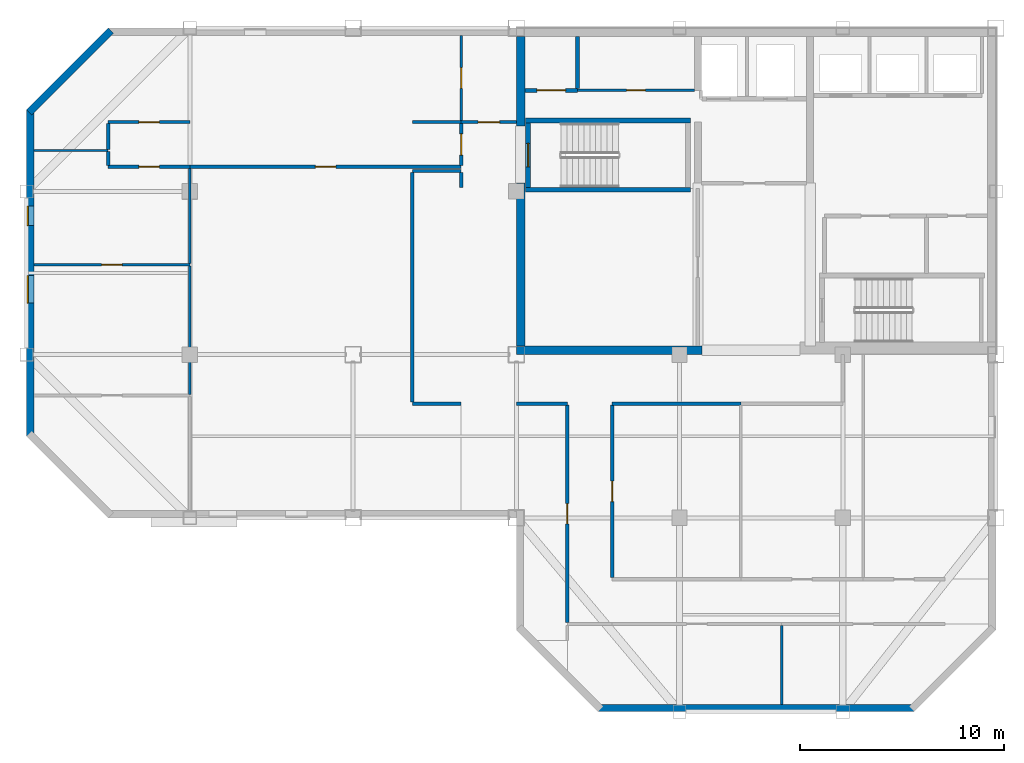
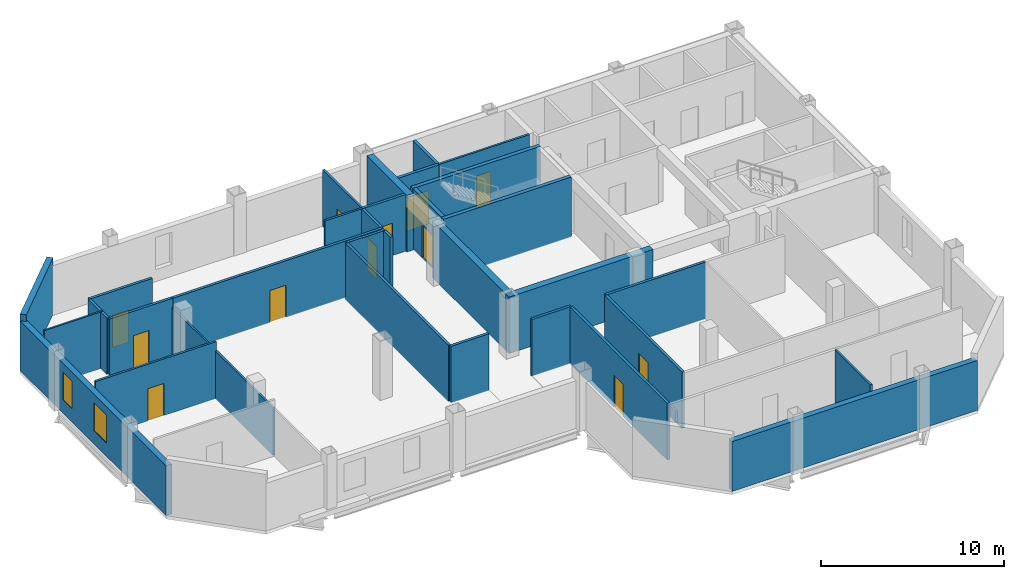
# One storey, part 2 of 7: 34 walls, 12 doors, 2 windows, 14 openings.
"""IFC4 building model written with IfcOpenShell, lengths in metres."""

from ifc_helpers import new_model, si_unit, direction, frame, frame_2d, origin, place, context, subcontext, project, spatial, rectangle, extrude, material, layer, layer_set, type_object, element, fill, save


model = new_model("IFC4")

# Units and contexts
model_context = context("Model", 3, precision=1e-05, world=origin(), true_north=direction((0.0, 1.0)))
body_context = subcontext(model_context, "Body", "Model", "MODEL_VIEW")
ifc_project = project(units=[si_unit("LENGTHUNIT", "METRE"), si_unit("AREAUNIT", "SQUARE_METRE"), si_unit("VOLUMEUNIT", "CUBIC_METRE"), si_unit("PLANEANGLEUNIT", "RADIAN"), si_unit("MASSUNIT", "GRAM", prefix="KILO")], contexts=[model_context])

# Site, building, storey
site_placement = place(None, origin())
site = spatial("IfcSite", under=ifc_project, at=site_placement, CompositionType="ELEMENT")
building_placement = place(site_placement, origin())
building = spatial("IfcBuilding", under=site, at=building_placement, Name="Qianrong Seaharbour Tower", CompositionType="ELEMENT")
storey_placement = place(building_placement, frame((0.0, 0.0, 327.199951171875)))
storey = spatial("IfcBuildingStorey", under=building, at=storey_placement, Name="L79", CompositionType="ELEMENT", Elevation=327.199951171875)

# Walls
ifc_material_1 = material(Name="Concrete C50/60", Category="concrete")
ifc_layer_1 = layer(ifc_material_1, 0.419921875)
ifc_layer_set_1 = layer_set([ifc_layer_1], Name="Concrete C50/60")
wall_type_1 = type_object("IfcWallType", Name="WALL-CORE-420", PredefinedType="SHEAR", material=ifc_layer_set_1)
wall_1_placement = place(storey_placement, frame((40.7099609375, 36.419921875, 0.0), z_axis=(0.0, 0.0, 1.0), x_axis=(0.0, 1.0, 0.0)))
element("IfcWall", 1, at=wall_1_placement, inside=storey, type_object=wall_type_1, Name="L79 West Core Shear Wall South", PredefinedType="SHEAR", context=body_context, shape_type="SweptSolid", body=[
    extrude(rectangle(XDim=7.97998046875, YDim=0.419921875, at=frame_2d((3.989990234375, 0.0))), origin(), (0.0, 0.0, 1.0), 3.78515625),
])
wall_2_placement = place(storey_placement, frame((40.7099609375, 47.199951171875, 0.0), z_axis=(0.0, 0.0, 1.0), x_axis=(0.0, 1.0, 0.0)))
element("IfcWall", 2, at=wall_2_placement, inside=storey, type_object=wall_type_1, Name="L79 West Core Shear Wall North", PredefinedType="SHEAR", context=body_context, shape_type="SweptSolid", body=[
    extrude(rectangle(XDim=4.380126953125, YDim=0.419921875, at=frame_2d((2.18994140625, 0.0))), origin(), (0.0, 0.0, 1.0), 3.78515625),
])
wall_3_placement = place(storey_placement, frame((40.5, 36.2099609375, 0.0), z_axis=(0.0, 0.0, 1.0), x_axis=(1.0, 0.0, 0.0)))
element("IfcWall", 3, at=wall_3_placement, inside=storey, type_object=wall_type_1, Name="L79 South Core Shear Wall S1", PredefinedType="SHEAR", context=body_context, shape_type="SweptSolid", body=[
    extrude(rectangle(XDim=9.10009765625, YDim=0.419921875, at=frame_2d((4.550048828125, 0.0))), origin(), (0.0, 0.0, 1.0), 3.78515625),
])

# Wall, opening, door
ifc_material_2 = material(Name="Fire-rated acoustic gypsum board partition")
ifc_layer_2 = layer(ifc_material_2, 0.1650390625)
ifc_layer_set_2 = layer_set([ifc_layer_2], Name="Fire-rated acoustic gypsum board partition")
wall_type_2 = type_object("IfcWallType", Name="WALL-CORR-PART-165", PredefinedType="PARTITIONING", material=ifc_layer_set_2)
wall_4_placement = place(storey_placement, frame((37.800048828125, 47.39990234375, 0.0), z_axis=(0.0, 0.0, 1.0), x_axis=(1.0, 0.0, 0.0)))
wall_4 = element("IfcWall", 4, at=wall_4_placement, inside=storey, type_object=wall_type_2, Name="L79 Interior Partition Wall 001", PredefinedType="PARTITIONING", context=body_context, shape_type="SweptSolid", body=[
    extrude(rectangle(XDim=2.699951171875, YDim=0.1650390625, at=frame_2d((1.35009765625, 0.0))), origin(), (0.0, 0.0, 1.0), 3.78515625),
])
opening_1_placement = place(wall_4_placement, frame((0.824951171875, 0.0, 0.0)))
opening_1 = element("IfcOpeningElement", 5, at=opening_1_placement, cuts=wall_4, Name="Opening DC-01", PredefinedType="OPENING", context=body_context, shape_type="SweptSolid", body=[
    extrude(rectangle(XDim=1.050048828125, YDim=2.14990234375, at=frame_2d((0.52490234375, 1.074951171875))), frame((0.0, 0.092529296875, 0.0), z_axis=(0.0, -1.0, 0.0), x_axis=(1.0, 0.0, 0.0)), (0.0, 0.0, 1.0), 0.18505859375),
])
ifc_material_3 = material(Name="Acoustic timber and galvanized steel fire door assembly", Category="steel")
door_type_1 = type_object("IfcDoorType", Name="DOOR-CORR-FD60-1050x2150", OperationType="NOTDEFINED", PredefinedType="DOOR", material=ifc_material_3)
door_1_placement = place(opening_1_placement, origin())
door_1 = element("IfcDoor", 6, at=door_1_placement, inside=storey, type_object=door_type_1, Name="L79 Smokeproof Stair Vestibule ST-1 Door", OperationType="SINGLE_SWING_RIGHT", OverallHeight=2.14990234375, OverallWidth=1.050048828125, PredefinedType="DOOR", context=body_context, shape_type="SweptSolid", body=[
    extrude(rectangle(XDim=1.050048828125, YDim=2.14990234375, at=frame_2d((0.52490234375, 1.074951171875))), frame((0.0, 0.02490234375, 0.0), z_axis=(0.0, -1.0, 0.0), x_axis=(1.0, 0.0, 0.0)), (0.0, 0.0, 1.0), 0.050048828125),
])
fill(opening_1, door_1)

wall_5_placement = place(storey_placement, frame((37.800048828125, 45.2744140625, 0.0), z_axis=(0.0, 0.0, 1.0), x_axis=(0.0, 1.0, 0.0)))
wall_5 = element("IfcWall", 7, at=wall_5_placement, inside=storey, type_object=wall_type_2, Name="L79 Interior Partition Wall 002", PredefinedType="PARTITIONING", context=body_context, shape_type="SweptSolid", body=[
    extrude(rectangle(XDim=2.051025390625, YDim=0.1650390625, at=frame_2d((1.025390625, 0.0))), origin(), (0.0, 0.0, 1.0), 3.78515625),
])
opening_2_placement = place(wall_5_placement, frame((0.50048828125, 0.0, 0.0)))
opening_2 = element("IfcOpeningElement", 8, at=opening_2_placement, cuts=wall_5, Name="Opening DC-01", PredefinedType="OPENING", context=body_context, shape_type="SweptSolid", body=[
    extrude(rectangle(XDim=1.050048828125, YDim=2.14990234375, at=frame_2d((0.52490234375, 1.074951171875))), frame((0.0, 0.092529296875, 0.0), z_axis=(0.0, -1.0, 0.0), x_axis=(1.0, 0.0, 0.0)), (0.0, 0.0, 1.0), 0.18505859375),
])
door_2_placement = place(opening_2_placement, origin())
door_2 = element("IfcDoor", 9, at=door_2_placement, inside=storey, type_object=door_type_1, Name="L79 Smokeproof Stair Vestibule ST-1 Door", OperationType="SINGLE_SWING_LEFT", OverallHeight=2.14990234375, OverallWidth=1.050048828125, PredefinedType="DOOR", context=body_context, shape_type="SweptSolid", body=[
    extrude(rectangle(XDim=1.050048828125, YDim=2.14990234375, at=frame_2d((0.52490234375, 1.074951171875))), frame((0.0, 0.02490234375, 0.0), z_axis=(0.0, -1.0, 0.0), x_axis=(1.0, 0.0, 0.0)), (0.0, 0.0, 1.0), 0.050048828125),
])
fill(opening_2, door_2)

# Wall
wall_6_placement = place(storey_placement, frame((37.800048828125, 44.199951171875, 0.0), z_axis=(0.0, 0.0, 1.0), x_axis=(0.0, 1.0, 0.0)))
element("IfcWall", 10, at=wall_6_placement, inside=storey, type_object=wall_type_2, Name="L79 Interior Partition Wall 003", PredefinedType="PARTITIONING", context=body_context, shape_type="SweptSolid", body=[
    extrude(rectangle(XDim=0.7255859375, YDim=0.1650390625, at=frame_2d((0.36279296875, 0.0))), origin(), (0.0, 0.0, 1.0), 3.78515625),
])

# Wall, opening, door
wall_7_placement = place(storey_placement, frame((37.800048828125, 45.199951171875, 0.0), z_axis=(0.0, 0.0, 1.0), x_axis=(-1.0, 0.0, 0.0)))
wall_7 = element("IfcWall", 11, at=wall_7_placement, inside=storey, type_object=wall_type_2, Name="L79 Interior Partition Wall 015", PredefinedType="PARTITIONING", context=body_context, shape_type="SweptSolid", body=[
    extrude(rectangle(XDim=13.300048828125, YDim=0.1650390625, at=frame_2d((6.64990234375, 0.0))), origin(), (0.0, 0.0, 1.0), 3.78515625),
])
opening_3_placement = place(wall_7_placement, frame((6.14990234375, 0.0, 0.0)))
opening_3 = element("IfcOpeningElement", 12, at=opening_3_placement, cuts=wall_7, Name="Opening DO-01", PredefinedType="OPENING", context=body_context, shape_type="SweptSolid", body=[
    extrude(rectangle(XDim=1.0, YDim=2.14990234375, at=frame_2d((0.5, 1.074951171875))), frame((0.0, 0.092529296875, 0.0), z_axis=(0.0, -1.0, 0.0), x_axis=(1.0, 0.0, 0.0)), (0.0, 0.0, 1.0), 0.18505859375),
])
door_type_2 = type_object("IfcDoorType", Name="DOOR-OFFICE-1000x2150", OperationType="NOTDEFINED", PredefinedType="DOOR", material=ifc_material_3)
door_3_placement = place(opening_3_placement, origin())
door_3 = element("IfcDoor", 13, at=door_3_placement, inside=storey, type_object=door_type_2, Name="L79 Central Spine Open-Plan Office Door", OperationType="SINGLE_SWING_LEFT", OverallHeight=2.14990234375, OverallWidth=1.0, PredefinedType="DOOR", context=body_context, shape_type="SweptSolid", body=[
    extrude(rectangle(XDim=1.0, YDim=2.14990234375, at=frame_2d((0.5, 1.074951171875))), frame((0.0, 0.02490234375, 0.0), z_axis=(0.0, -1.0, 0.0), x_axis=(1.0, 0.0, 0.0)), (0.0, 0.0, 1.0), 0.050048828125),
])
fill(opening_3, door_3)

wall_8_placement = place(storey_placement, frame((24.5, 45.199951171875, 0.0), z_axis=(0.0, 0.0, 1.0), x_axis=(-1.0, 0.0, 0.0)))
wall_8 = element("IfcWall", 14, at=wall_8_placement, inside=storey, type_object=wall_type_2, Name="L79 Interior Partition Wall 016", PredefinedType="PARTITIONING", context=body_context, shape_type="SweptSolid", body=[
    extrude(rectangle(XDim=4.0, YDim=0.1650390625, at=frame_2d((2.0, 0.0))), origin(), (0.0, 0.0, 1.0), 3.78515625),
])
opening_4_placement = place(wall_8_placement, frame((1.5, 0.0, 0.0)))
opening_4 = element("IfcOpeningElement", 15, at=opening_4_placement, cuts=wall_8, Name="Opening DO-01", PredefinedType="OPENING", context=body_context, shape_type="SweptSolid", body=[
    extrude(rectangle(XDim=1.0, YDim=2.14990234375, at=frame_2d((0.5, 1.074951171875))), frame((0.0, 0.092529296875, 0.0), z_axis=(0.0, -1.0, 0.0), x_axis=(1.0, 0.0, 0.0)), (0.0, 0.0, 1.0), 0.18505859375),
])
door_4_placement = place(opening_4_placement, origin())
door_4 = element("IfcDoor", 16, at=door_4_placement, inside=storey, type_object=door_type_2, Name="L79 Hospitality Dining Room 3 Door", OperationType="SINGLE_SWING_RIGHT", OverallHeight=2.14990234375, OverallWidth=1.0, PredefinedType="DOOR", context=body_context, shape_type="SweptSolid", body=[
    extrude(rectangle(XDim=1.0, YDim=2.14990234375, at=frame_2d((0.5, 1.074951171875))), frame((0.0, 0.02490234375, 0.0), z_axis=(0.0, -1.0, 0.0), x_axis=(1.0, 0.0, 0.0)), (0.0, 0.0, 1.0), 0.050048828125),
])
fill(opening_4, door_4)

# Walls
wall_9_placement = place(storey_placement, frame((20.5, 45.2744140625, 0.0), z_axis=(0.0, 0.0, 1.0), x_axis=(0.0, 1.0, 0.0)))
element("IfcWall", 17, at=wall_9_placement, inside=storey, type_object=wall_type_2, Name="L79 Interior Partition Wall 017", PredefinedType="PARTITIONING", context=body_context, shape_type="SweptSolid", body=[
    extrude(rectangle(XDim=0.678466796875, YDim=0.1650390625, at=frame_2d((0.33935546875, 0.0))), origin(), (0.0, 0.0, 1.0), 3.78515625),
])
wall_10_placement = place(storey_placement, frame((20.5, 46.047119140625, 0.0), z_axis=(0.0, 0.0, 1.0), x_axis=(0.0, 1.0, 0.0)))
element("IfcWall", 18, at=wall_10_placement, inside=storey, type_object=wall_type_2, Name="L79 Interior Partition Wall 018", PredefinedType="PARTITIONING", context=body_context, shape_type="SweptSolid", body=[
    extrude(rectangle(XDim=1.2783203125, YDim=0.1650390625, at=frame_2d((0.63916015625, 0.0))), origin(), (0.0, 0.0, 1.0), 3.78515625),
])

# Wall, opening, door
wall_11_placement = place(storey_placement, frame((20.5, 47.39990234375, 0.0), z_axis=(0.0, 0.0, 1.0), x_axis=(1.0, 0.0, 0.0)))
wall_11 = element("IfcWall", 19, at=wall_11_placement, inside=storey, type_object=wall_type_2, Name="L79 Interior Partition Wall 019", PredefinedType="PARTITIONING", context=body_context, shape_type="SweptSolid", body=[
    extrude(rectangle(XDim=4.0, YDim=0.1650390625, at=frame_2d((2.0, 0.0))), origin(), (0.0, 0.0, 1.0), 3.78515625),
])
opening_5_placement = place(wall_11_placement, frame((1.5, 0.0, 0.0)))
opening_5 = element("IfcOpeningElement", 20, at=opening_5_placement, cuts=wall_11, Name="Opening DO-01", PredefinedType="OPENING", context=body_context, shape_type="SweptSolid", body=[
    extrude(rectangle(XDim=1.0, YDim=2.14990234375, at=frame_2d((0.5, 1.074951171875))), frame((0.0, 0.092529296875, 0.0), z_axis=(0.0, -1.0, 0.0), x_axis=(1.0, 0.0, 0.0)), (0.0, 0.0, 1.0), 0.18505859375),
])
door_5_placement = place(opening_5_placement, origin())
door_5 = element("IfcDoor", 21, at=door_5_placement, inside=storey, type_object=door_type_2, Name="L79 Quiet Sitting Lounge 4 Door", OperationType="SINGLE_SWING_LEFT", OverallHeight=2.14990234375, OverallWidth=1.0, PredefinedType="DOOR", context=body_context, shape_type="SweptSolid", body=[
    extrude(rectangle(XDim=1.0, YDim=2.14990234375, at=frame_2d((0.5, 1.074951171875))), frame((0.0, 0.02490234375, 0.0), z_axis=(0.0, -1.0, 0.0), x_axis=(1.0, 0.0, 0.0)), (0.0, 0.0, 1.0), 0.050048828125),
])
fill(opening_5, door_5)

# Walls
wall_12_placement = place(storey_placement, frame((37.800048828125, 33.60009765625, 0.0), z_axis=(0.0, 0.0, 1.0), x_axis=(-1.0, 0.0, 0.0)))
element("IfcWall", 22, at=wall_12_placement, inside=storey, type_object=wall_type_2, Name="L79 Interior Partition Wall 020", PredefinedType="PARTITIONING", context=body_context, shape_type="SweptSolid", body=[
    extrude(rectangle(XDim=2.400146484375, YDim=0.1650390625, at=frame_2d((1.2001953125, 0.0))), origin(), (0.0, 0.0, 1.0), 3.78515625),
])
wall_13_placement = place(storey_placement, frame((35.39990234375, 33.674560546875, 0.0), z_axis=(0.0, 0.0, 1.0), x_axis=(0.0, 1.0, 0.0)))
element("IfcWall", 23, at=wall_13_placement, inside=storey, type_object=wall_type_2, Name="L79 Interior Partition Wall 021", PredefinedType="PARTITIONING", context=body_context, shape_type="SweptSolid", body=[
    extrude(rectangle(XDim=11.2509765625, YDim=0.1650390625, at=frame_2d((5.62548828125, 0.0))), origin(), (0.0, 0.0, 1.0), 3.78515625),
])
wall_14_placement = place(storey_placement, frame((35.39990234375, 45.0, 0.0), z_axis=(0.0, 0.0, 1.0), x_axis=(1.0, 0.0, 0.0)))
element("IfcWall", 24, at=wall_14_placement, inside=storey, type_object=wall_type_2, Name="L79 Interior Partition Wall 022", PredefinedType="PARTITIONING", context=body_context, shape_type="SweptSolid", body=[
    extrude(rectangle(XDim=2.400146484375, YDim=0.1650390625, at=frame_2d((1.2001953125, 0.0))), origin(), (0.0, 0.0, 1.0), 3.78515625),
])
wall_15_placement = place(storey_placement, frame((51.5, 33.60009765625, 0.0), z_axis=(0.0, 0.0, 1.0), x_axis=(-1.0, 0.0, 0.0)))
element("IfcWall", 25, at=wall_15_placement, inside=storey, type_object=wall_type_2, Name="L79 Interior Partition Wall 023", PredefinedType="PARTITIONING", context=body_context, shape_type="SweptSolid", body=[
    extrude(rectangle(XDim=6.300048828125, YDim=0.1650390625, at=frame_2d((3.14990234375, 0.0))), origin(), (0.0, 0.0, 1.0), 3.78515625),
])
wall_16_placement = place(storey_placement, frame((43.0, 33.60009765625, 0.0), z_axis=(0.0, 0.0, 1.0), x_axis=(-1.0, 0.0, 0.0)))
element("IfcWall", 26, at=wall_16_placement, inside=storey, type_object=wall_type_2, Name="L79 Interior Partition Wall 026", PredefinedType="PARTITIONING", context=body_context, shape_type="SweptSolid", body=[
    extrude(rectangle(XDim=2.5, YDim=0.1650390625, at=frame_2d((1.25, 0.0))), origin(), (0.0, 0.0, 1.0), 3.78515625),
])

# Wall, opening, door
wall_17_placement = place(storey_placement, frame((45.199951171875, 33.525390625, 0.0), z_axis=(0.0, 0.0, 1.0), x_axis=(0.0, -1.0, 0.0)))
wall_17 = element("IfcWall", 27, at=wall_17_placement, inside=storey, type_object=wall_type_2, Name="L79 Interior Partition Wall 027", PredefinedType="PARTITIONING", context=body_context, shape_type="SweptSolid", body=[
    extrude(rectangle(XDim=8.450927734375, YDim=0.1650390625, at=frame_2d((4.2255859375, 0.0))), origin(), (0.0, 0.0, 1.0), 3.78515625),
])
opening_6_placement = place(wall_17_placement, frame((3.7255859375, 0.0, 0.0)))
opening_6 = element("IfcOpeningElement", 28, at=opening_6_placement, cuts=wall_17, Name="Opening DO-01", PredefinedType="OPENING", context=body_context, shape_type="SweptSolid", body=[
    extrude(rectangle(XDim=1.0, YDim=2.14990234375, at=frame_2d((0.5, 1.074951171875))), frame((0.0, 0.092529296875, 0.0), z_axis=(0.0, -1.0, 0.0), x_axis=(1.0, 0.0, 0.0)), (0.0, 0.0, 1.0), 0.18505859375),
])
door_6_placement = place(opening_6_placement, origin())
door_6 = element("IfcDoor", 29, at=door_6_placement, inside=storey, type_object=door_type_2, Name="L79 East Harbour Dining Salon 1 Door", OperationType="SINGLE_SWING_RIGHT", OverallHeight=2.14990234375, OverallWidth=1.0, PredefinedType="DOOR", context=body_context, shape_type="SweptSolid", body=[
    extrude(rectangle(XDim=1.0, YDim=2.14990234375, at=frame_2d((0.5, 1.074951171875))), frame((0.0, 0.02490234375, 0.0), z_axis=(0.0, -1.0, 0.0), x_axis=(1.0, 0.0, 0.0)), (0.0, 0.0, 1.0), 0.050048828125),
])
fill(opening_6, door_6)

wall_18_placement = place(storey_placement, frame((43.0, 22.87451171875, 0.0), z_axis=(0.0, 0.0, 1.0), x_axis=(0.0, 1.0, 0.0)))
wall_18 = element("IfcWall", 30, at=wall_18_placement, inside=storey, type_object=wall_type_2, Name="L79 Interior Partition Wall 028", PredefinedType="PARTITIONING", context=body_context, shape_type="SweptSolid", body=[
    extrude(rectangle(XDim=10.65087890625, YDim=0.1650390625, at=frame_2d((5.325439453125, 0.0))), origin(), (0.0, 0.0, 1.0), 3.78515625),
])
opening_7_placement = place(wall_18_placement, frame((4.825439453125, 0.0, 0.0)))
opening_7 = element("IfcOpeningElement", 31, at=opening_7_placement, cuts=wall_18, Name="Opening DO-01", PredefinedType="OPENING", context=body_context, shape_type="SweptSolid", body=[
    extrude(rectangle(XDim=1.0, YDim=2.14990234375, at=frame_2d((0.5, 1.074951171875))), frame((0.0, 0.092529296875, 0.0), z_axis=(0.0, -1.0, 0.0), x_axis=(1.0, 0.0, 0.0)), (0.0, 0.0, 1.0), 0.18505859375),
])
door_7_placement = place(opening_7_placement, origin())
door_7 = element("IfcDoor", 32, at=door_7_placement, inside=storey, type_object=door_type_2, Name="L79 Concierge Office 2 Door", OperationType="SINGLE_SWING_LEFT", OverallHeight=2.14990234375, OverallWidth=1.0, PredefinedType="DOOR", context=body_context, shape_type="SweptSolid", body=[
    extrude(rectangle(XDim=1.0, YDim=2.14990234375, at=frame_2d((0.5, 1.074951171875))), frame((0.0, 0.02490234375, 0.0), z_axis=(0.0, -1.0, 0.0), x_axis=(1.0, 0.0, 0.0)), (0.0, 0.0, 1.0), 0.050048828125),
])
fill(opening_7, door_7)

# Walls
ifc_material_4 = material(Name="Demountable aluminium-framed acoustic office partition", Category="aluminium")
ifc_layer_3 = layer(ifc_material_4, 0.110107421875)
ifc_layer_set_3 = layer_set([ifc_layer_3], Name="Demountable aluminium-framed acoustic office partition")
wall_type_3 = type_object("IfcWallType", Name="WALL-DEMOUNT-110", PredefinedType="MOVABLE", material=ifc_layer_set_3)
wall_19_placement = place(storey_placement, frame((24.5, 40.45703125, 0.0), z_axis=(0.0, 0.0, 1.0), x_axis=(0.0, 1.0, 0.0)))
element("IfcWall", 33, at=wall_19_placement, inside=storey, type_object=wall_type_3, Name="L79 Interior Partition Wall 037", PredefinedType="MOVABLE", context=body_context, shape_type="SweptSolid", body=[
    extrude(rectangle(XDim=4.66845703125, YDim=0.110107421875, at=frame_2d((2.334228515625, 0.0))), origin(), (0.0, 0.0, 1.0), 3.177001953125),
])
wall_20_placement = place(storey_placement, frame((16.85205078125, 46.0, 0.0), z_axis=(0.0, 0.0, 1.0), x_axis=(1.0, 0.0, 0.0)))
element("IfcWall", 34, at=wall_20_placement, inside=storey, type_object=wall_type_3, Name="L79 Interior Partition Wall 040", PredefinedType="MOVABLE", context=body_context, shape_type="SweptSolid", body=[
    extrude(rectangle(XDim=3.64794921875, YDim=0.110107421875, at=frame_2d((1.823974609375, 0.0))), origin(), (0.0, 0.0, 1.0), 3.78515625),
])

# Wall, openings, windows
ifc_material_5 = material(Name="Unitised red brick on Precast concrete C45/55", Category="masonry")
ifc_layer_4 = layer(ifc_material_5, 0.360107421875)
ifc_layer_set_4 = layer_set([ifc_layer_4], Name="Unitised red brick on Precast concrete C45/55")
wall_type_4 = type_object("IfcWallType", Name="WALL-EXT-BRICK-RED-360", PredefinedType="SOLIDWALL", material=ifc_layer_set_4)
wall_21_placement = place(storey_placement, frame((16.679931640625, 32.0, 0.0), z_axis=(0.0, 0.0, 1.0), x_axis=(0.0, 1.0, 0.0)))
wall_21 = element("IfcWall", 35, at=wall_21_placement, inside=storey, type_object=wall_type_4, Name="L79 Exterior Masonry Facade Wall WEST_TIP", PredefinedType="SOLIDWALL", context=body_context, shape_type="SweptSolid", body=[
    extrude(rectangle(XDim=16.0, YDim=0.360107421875, at=frame_2d((8.0, 0.0))), origin(), (0.0, 0.0, 1.0), 3.3349609375),
])
opening_8_placement = place(wall_21_placement, frame((6.52490234375, 0.0, 0.89990234375)))
opening_8 = element("IfcOpeningElement", 36, at=opening_8_placement, cuts=wall_21, Name="Opening WN-02", PredefinedType="OPENING", context=body_context, shape_type="SweptSolid", body=[
    extrude(rectangle(XDim=1.35009765625, YDim=1.85009765625, at=frame_2d((0.675048828125, 0.925048828125))), frame((0.0, 0.18994140625, 0.0), z_axis=(0.0, -1.0, 0.0), x_axis=(1.0, 0.0, 0.0)), (0.0, 0.0, 1.0), 0.380126953125),
])
opening_9_placement = place(wall_21_placement, frame((10.324951171875, 0.0, 0.89990234375)))
opening_9 = element("IfcOpeningElement", 37, at=opening_9_placement, cuts=wall_21, Name="Opening WN-13", PredefinedType="OPENING", context=body_context, shape_type="SweptSolid", body=[
    extrude(rectangle(XDim=0.949951171875, YDim=1.85009765625, at=frame_2d((0.47509765625, 0.925048828125))), frame((0.0, 0.18994140625, 0.0), z_axis=(0.0, -1.0, 0.0), x_axis=(1.0, 0.0, 0.0)), (0.0, 0.0, 1.0), 0.380126953125),
])
ifc_material_6 = material(Name="Insulated low-e double glazing in thermally broken aluminium 6063-T6 frame", Category="aluminium")
window_type_1 = type_object("IfcWindowType", Name="WIN-NARROW-950x1850", PartitioningType="SINGLE_PANEL", PredefinedType="WINDOW", material=ifc_material_6)
window_1_placement = place(opening_9_placement, origin())
window_1 = element("IfcWindow", 38, at=window_1_placement, inside=storey, type_object=window_type_1, Name="L79 Deep-Set Punched Window 03.03", OverallHeight=1.85009765625, OverallWidth=0.949951171875, PartitioningType="SINGLE_PANEL", PredefinedType="WINDOW", context=body_context, shape_type="SweptSolid", body=[
    extrude(rectangle(XDim=0.949951171875, YDim=1.85009765625, at=frame_2d((0.47509765625, 0.925048828125))), frame((0.0, 0.150146484375, 0.0), z_axis=(0.0, -1.0, 0.0), x_axis=(1.0, 0.0, 0.0)), (0.0, 0.0, 1.0), 0.06005859375),
])
fill(opening_9, window_1)
window_type_2 = type_object("IfcWindowType", Name="WIN-PUNCH-1350x1850", PartitioningType="DOUBLE_PANEL_VERTICAL", PredefinedType="WINDOW", material=ifc_material_6)
window_2_placement = place(opening_8_placement, origin())
window_2 = element("IfcWindow", 39, at=window_2_placement, inside=storey, type_object=window_type_2, Name="L79 Deep-Set Punched Window 03.02", OverallHeight=1.85009765625, OverallWidth=1.35009765625, PartitioningType="DOUBLE_PANEL_VERTICAL", PredefinedType="WINDOW", context=body_context, shape_type="SweptSolid", body=[
    extrude(rectangle(XDim=1.35009765625, YDim=1.85009765625, at=frame_2d((0.675048828125, 0.925048828125))), frame((0.0, 0.150146484375, 0.0), z_axis=(0.0, -1.0, 0.0), x_axis=(1.0, 0.0, 0.0)), (0.0, 0.0, 1.0), 0.06005859375),
])
fill(opening_8, window_2)

# Walls
wall_22_placement = place(storey_placement, frame((16.627197265625, 47.872802734375, 0.0), z_axis=(0.0, 0.0, 1.0), x_axis=(0.707106781187, 0.707106781187, 0.0)))
element("IfcWall", 40, at=wall_22_placement, inside=storey, type_object=wall_type_4, Name="L79 Exterior Masonry Facade Wall E04", PredefinedType="SOLIDWALL", context=body_context, shape_type="SweptSolid", body=[
    extrude(rectangle(XDim=5.65673828125, YDim=0.360107421875, at=frame_2d((2.828369140625, 0.0))), origin(), (0.0, 0.0, 1.0), 3.78515625),
])
wall_23_placement = place(storey_placement, frame((60.0, 18.679931640625, 0.0), z_axis=(0.0, 0.0, 1.0), x_axis=(-1.0, 0.0, 0.0)))
element("IfcWall", 41, at=wall_23_placement, inside=storey, type_object=wall_type_4, Name="L79 Exterior Masonry Facade Wall SOUTH_TIP", PredefinedType="SOLIDWALL", context=body_context, shape_type="SweptSolid", body=[
    extrude(rectangle(XDim=15.5, YDim=0.360107421875, at=frame_2d((7.75, 0.0))), origin(), (0.0, 0.0, 1.0), 3.3349609375),
])

# Wall, opening, door
ifc_material_7 = material(Name="Double fire-rated gypsum board acoustic partition")
ifc_layer_5 = layer(ifc_material_7, 0.18994140625)
ifc_layer_set_5 = layer_set([ifc_layer_5], Name="Double fire-rated gypsum board acoustic partition")
wall_type_5 = type_object("IfcWallType", Name="WALL-FIRE-PART-190", PredefinedType="PARTITIONING", material=ifc_layer_set_5)
wall_24_placement = place(storey_placement, frame((40.919921875, 48.949951171875, 0.0), z_axis=(0.0, 0.0, 1.0), x_axis=(1.0, 0.0, 0.0)))
wall_24 = element("IfcWall", 42, at=wall_24_placement, inside=storey, type_object=wall_type_5, Name="L79 Interior Partition Wall 006", PredefinedType="PARTITIONING", context=body_context, shape_type="SweptSolid", body=[
    extrude(rectangle(XDim=2.580078125, YDim=0.18994140625, at=frame_2d((1.2900390625, 0.0))), origin(), (0.0, 0.0, 1.0), 3.78515625),
])
opening_10_placement = place(wall_24_placement, frame((0.590087890625, 0.0, 0.0)))
opening_10 = element("IfcOpeningElement", 43, at=opening_10_placement, cuts=wall_24, Name="Opening DP-01", PredefinedType="OPENING", context=body_context, shape_type="SweptSolid", body=[
    extrude(rectangle(XDim=1.39990234375, YDim=2.25, at=frame_2d((0.699951171875, 1.125))), frame((0.0, 0.10498046875, 0.0), z_axis=(0.0, -1.0, 0.0), x_axis=(1.0, 0.0, 0.0)), (0.0, 0.0, 1.0), 0.2099609375),
])
door_type_3 = type_object("IfcDoorType", Name="DOOR-PLANT-PAIR-1400x2250", OperationType="DOUBLE_DOOR_SINGLE_SWING", PredefinedType="DOOR", material=ifc_material_3)
door_8_placement = place(opening_10_placement, origin())
door_8 = element("IfcDoor", 44, at=door_8_placement, inside=storey, type_object=door_type_3, Name="L79 Core Electrical Closet Door", OperationType="DOUBLE_DOOR_SINGLE_SWING", OverallHeight=2.25, OverallWidth=1.39990234375, PredefinedType="DOOR", context=body_context, shape_type="SweptSolid", body=[
    extrude(rectangle(XDim=1.39990234375, YDim=2.25, at=frame_2d((0.699951171875, 1.125))), frame((0.0, 0.02490234375, 0.0), z_axis=(0.0, -1.0, 0.0), x_axis=(1.0, 0.0, 0.0)), (0.0, 0.0, 1.0), 0.050048828125),
])
fill(opening_10, door_8)

# Walls
wall_25_placement = place(storey_placement, frame((43.5, 51.580078125, 0.0), z_axis=(0.0, 0.0, 1.0), x_axis=(0.0, -1.0, 0.0)))
element("IfcWall", 45, at=wall_25_placement, inside=storey, type_object=wall_type_5, Name="L79 Interior Partition Wall 013", PredefinedType="PARTITIONING", context=body_context, shape_type="SweptSolid", body=[
    extrude(rectangle(XDim=2.54296875, YDim=0.18994140625, at=frame_2d((1.271484375, 0.0))), origin(), (0.0, 0.0, 1.0), 3.78515625),
])
ifc_layer_6 = layer(ifc_material_1, 0.239990234375)
ifc_layer_set_6 = layer_set([ifc_layer_6], Name="Concrete C50/60")
wall_type_6 = type_object("IfcWallType", Name="WALL-SHAFT-RC240", PredefinedType="SOLIDWALL", material=ifc_layer_set_6)
for number, where, z_axis, x_axis, name in (
    (46, (40.9599609375, 47.469970703125, 0.0), (0.0, 0.0, 1.0), (1.0, 0.0, 0.0), "L79 ST-1 Structural Stair Core Wall N"),
    (47, (49.0400390625, 44.080078125, 0.0), (0.0, 0.0, 1.0), (-1.0, 0.0, 0.0), "L79 ST-1 Structural Stair Core Wall S"),
):
    element("IfcWall", number, at=place(storey_placement, frame(where, z_axis=z_axis, x_axis=x_axis)), inside=storey, type_object=wall_type_6, Name=name, PredefinedType="SOLIDWALL", context=body_context, shape_type="SweptSolid", body=[
        extrude(rectangle(XDim=8.080078125, YDim=0.239990234375, at=frame_2d((4.0400390625, 0.0))), origin(), (0.0, 0.0, 1.0), 4.0),
    ])

# Wall, opening, door
wall_26_placement = place(storey_placement, frame((41.080078125, 47.35009765625, 0.0), z_axis=(0.0, 0.0, 1.0), x_axis=(0.0, -1.0, 0.0)))
wall_26 = element("IfcWall", 48, at=wall_26_placement, inside=storey, type_object=wall_type_6, Name="L79 ST-1 Structural Stair Core Wall W", PredefinedType="SOLIDWALL", context=body_context, shape_type="SweptSolid", body=[
    extrude(rectangle(XDim=3.150146484375, YDim=0.239990234375, at=frame_2d((1.5751953125, 0.0))), origin(), (0.0, 0.0, 1.0), 4.0),
])
opening_11_placement = place(wall_26_placement, frame((1.0, 0.0, 0.0)))
opening_11 = element("IfcOpeningElement", 49, at=opening_11_placement, cuts=wall_26, Name="Opening SD-01", PredefinedType="OPENING", context=body_context, shape_type="SweptSolid", body=[
    extrude(rectangle(XDim=1.14990234375, YDim=2.199951171875, at=frame_2d((0.574951171875, 1.10009765625))), frame((0.0, 0.1298828125, 0.0), z_axis=(0.0, -1.0, 0.0), x_axis=(1.0, 0.0, 0.0)), (0.0, 0.0, 1.0), 0.260009765625),
])
door_type_4 = type_object("IfcDoorType", Name="DOOR-STAIR-FD60-1150x2200", OperationType="NOTDEFINED", PredefinedType="DOOR", material=ifc_material_3)
door_9_placement = place(opening_11_placement, origin())
door_9 = element("IfcDoor", 50, at=door_9_placement, inside=storey, type_object=door_type_4, Name="L79 ST-1 Protected Stair Door", OperationType="SINGLE_SWING_RIGHT", OverallHeight=2.199951171875, OverallWidth=1.14990234375, PredefinedType="DOOR", context=body_context, shape_type="SweptSolid", body=[
    extrude(rectangle(XDim=1.14990234375, YDim=2.199951171875, at=frame_2d((0.574951171875, 1.10009765625))), frame((0.0, 0.02490234375, 0.0), z_axis=(0.0, -1.0, 0.0), x_axis=(1.0, 0.0, 0.0)), (0.0, 0.0, 1.0), 0.050048828125),
])
fill(opening_11, door_9)

ifc_material_8 = material(Name="Water-resistant cement board sanitary partition")
ifc_layer_7 = layer(ifc_material_8, 0.1298828125)
ifc_layer_set_7 = layer_set([ifc_layer_7], Name="Water-resistant cement board sanitary partition")
wall_type_7 = type_object("IfcWallType", Name="WALL-WET-PART-130", PredefinedType="PARTITIONING", material=ifc_layer_set_7)
wall_27_placement = place(storey_placement, frame((37.800048828125, 47.474609375, 0.0), z_axis=(0.0, 0.0, 1.0), x_axis=(0.0, 1.0, 0.0)))
wall_27 = element("IfcWall", 51, at=wall_27_placement, inside=storey, type_object=wall_type_7, Name="L79 Interior Partition Wall 004", PredefinedType="PARTITIONING", context=body_context, shape_type="SweptSolid", body=[
    extrude(rectangle(XDim=4.17333984375, YDim=0.1298828125, at=frame_2d((2.086669921875, 0.0))), origin(), (0.0, 0.0, 1.0), 3.78515625),
])
opening_12_placement = place(wall_27_placement, frame((1.57666015625, 0.0, 0.0)))
opening_12 = element("IfcOpeningElement", 52, at=opening_12_placement, cuts=wall_27, Name="Opening DAW-01", PredefinedType="OPENING", context=body_context, shape_type="SweptSolid", body=[
    extrude(rectangle(XDim=1.02001953125, YDim=2.14990234375, at=frame_2d((0.510009765625, 1.074951171875))), frame((0.0, 0.074951171875, 0.0), z_axis=(0.0, -1.0, 0.0), x_axis=(1.0, 0.0, 0.0)), (0.0, 0.0, 1.0), 0.14990234375),
])
door_type_5 = type_object("IfcDoorType", Name="DOOR-AWC-SLIDE-1020x2150", OperationType="SLIDING_TO_LEFT", PredefinedType="DOOR", material=ifc_material_3)
door_10_placement = place(opening_12_placement, origin())
door_10 = element("IfcDoor", 53, at=door_10_placement, inside=storey, type_object=door_type_5, Name="L79 Accessible Restroom WC Door", OperationType="SLIDING_TO_LEFT", OverallHeight=2.14990234375, OverallWidth=1.02001953125, PredefinedType="DOOR", context=body_context, shape_type="SweptSolid", body=[
    extrude(rectangle(XDim=1.02001953125, YDim=2.14990234375, at=frame_2d((0.510009765625, 1.074951171875))), frame((0.0, 0.02490234375, 0.0), z_axis=(0.0, -1.0, 0.0), x_axis=(1.0, 0.0, 0.0)), (0.0, 0.0, 1.0), 0.050048828125),
])
fill(opening_12, door_10)

# Wall
wall_28_placement = place(storey_placement, frame((37.800048828125, 47.39990234375, 0.0), z_axis=(0.0, 0.0, 1.0), x_axis=(-1.0, 0.0, 0.0)))
element("IfcWall", 54, at=wall_28_placement, inside=storey, type_object=wall_type_7, Name="L79 Interior Partition Wall 005", PredefinedType="PARTITIONING", context=body_context, shape_type="SweptSolid", body=[
    extrude(rectangle(XDim=2.400146484375, YDim=0.1298828125, at=frame_2d((1.2001953125, 0.0))), origin(), (0.0, 0.0, 1.0), 3.78515625),
])

# Wall, opening, door
wall_29_placement = place(storey_placement, frame((43.5, 48.949951171875, 0.0), z_axis=(0.0, 0.0, 1.0), x_axis=(1.0, 0.0, 0.0)))
wall_29 = element("IfcWall", 55, at=wall_29_placement, inside=storey, type_object=wall_type_7, Name="L79 Interior Partition Wall 007", PredefinedType="PARTITIONING", context=body_context, shape_type="SweptSolid", body=[
    extrude(rectangle(XDim=5.73291015625, YDim=0.1298828125, at=frame_2d((2.866455078125, 0.0))), origin(), (0.0, 0.0, 1.0), 3.78515625),
])
opening_13_placement = place(wall_29_placement, frame((2.406494140625, 0.0, 0.0)))
opening_13 = element("IfcOpeningElement", 56, at=opening_13_placement, cuts=wall_29, Name="Opening DW-01", PredefinedType="OPENING", context=body_context, shape_type="SweptSolid", body=[
    extrude(rectangle(XDim=0.919921875, YDim=2.14990234375, at=frame_2d((0.4599609375, 1.074951171875))), frame((0.0, 0.074951171875, 0.0), z_axis=(0.0, -1.0, 0.0), x_axis=(1.0, 0.0, 0.0)), (0.0, 0.0, 1.0), 0.14990234375),
])
door_type_6 = type_object("IfcDoorType", Name="DOOR-WC-920x2150", OperationType="NOTDEFINED", PredefinedType="DOOR", material=ifc_material_3)
door_11_placement = place(opening_13_placement, origin())
door_11 = element("IfcDoor", 57, at=door_11_placement, inside=storey, type_object=door_type_6, Name="L79 Staff Restroom WC Door", OperationType="SINGLE_SWING_LEFT", OverallHeight=2.14990234375, OverallWidth=0.919921875, PredefinedType="DOOR", context=body_context, shape_type="SweptSolid", body=[
    extrude(rectangle(XDim=0.919921875, YDim=2.14990234375, at=frame_2d((0.4599609375, 1.074951171875))), frame((0.0, 0.02490234375, 0.0), z_axis=(0.0, -1.0, 0.0), x_axis=(1.0, 0.0, 0.0)), (0.0, 0.0, 1.0), 0.050048828125),
])
fill(opening_13, door_11)

# Wall
wall_30_placement = place(storey_placement, frame((24.5, 34.056884765625, 0.0), z_axis=(0.0, 0.0, 1.0), x_axis=(0.0, 1.0, 0.0)))
element("IfcWall", 58, at=wall_30_placement, inside=storey, type_object=wall_type_7, Name="L79 Interior Partition Wall 036", PredefinedType="PARTITIONING", context=body_context, shape_type="SweptSolid", body=[
    extrude(rectangle(XDim=6.2861328125, YDim=0.1298828125, at=frame_2d((3.14306640625, 0.0))), origin(), (0.0, 0.0, 1.0), 3.177001953125),
])

# Wall, opening, door
wall_31_placement = place(storey_placement, frame((16.85205078125, 40.39990234375, 0.0), z_axis=(0.0, 0.0, 1.0), x_axis=(1.0, 0.0, 0.0)))
wall_31 = element("IfcWall", 59, at=wall_31_placement, inside=storey, type_object=wall_type_7, Name="L79 Interior Partition Wall 039", PredefinedType="PARTITIONING", context=body_context, shape_type="SweptSolid", body=[
    extrude(rectangle(XDim=7.64794921875, YDim=0.1298828125, at=frame_2d((3.823974609375, 0.0))), origin(), (0.0, 0.0, 1.0), 3.78515625),
])
opening_14_placement = place(wall_31_placement, frame((3.323974609375, 0.0, 0.0)))
opening_14 = element("IfcOpeningElement", 60, at=opening_14_placement, cuts=wall_31, Name="Opening DO-01", PredefinedType="OPENING", context=body_context, shape_type="SweptSolid", body=[
    extrude(rectangle(XDim=1.0, YDim=2.14990234375, at=frame_2d((0.5, 1.074951171875))), frame((0.0, 0.074951171875, 0.0), z_axis=(0.0, -1.0, 0.0), x_axis=(1.0, 0.0, 0.0)), (0.0, 0.0, 1.0), 0.14990234375),
])
door_12_placement = place(opening_14_placement, origin())
door_12 = element("IfcDoor", 61, at=door_12_placement, inside=storey, type_object=door_type_2, Name="L79 Barista Coffee Pantry 2 Door", OperationType="SINGLE_SWING_LEFT", OverallHeight=2.14990234375, OverallWidth=1.0, PredefinedType="DOOR", context=body_context, shape_type="SweptSolid", body=[
    extrude(rectangle(XDim=1.0, YDim=2.14990234375, at=frame_2d((0.5, 1.074951171875))), frame((0.0, 0.02490234375, 0.0), z_axis=(0.0, -1.0, 0.0), x_axis=(1.0, 0.0, 0.0)), (0.0, 0.0, 1.0), 0.050048828125),
])
fill(opening_14, door_12)

# Wall
wall_32_placement = place(storey_placement, frame((53.5, 22.7255859375, 0.0), z_axis=(0.0, 0.0, 1.0), x_axis=(0.0, -1.0, 0.0)))
element("IfcWall", 62, at=wall_32_placement, inside=storey, type_object=wall_type_7, Name="L79 Interior Partition Wall 044", PredefinedType="PARTITIONING", context=body_context, shape_type="SweptSolid", body=[
    extrude(rectangle(XDim=3.87353515625, YDim=0.1298828125, at=frame_2d((1.936767578125, 0.0))), origin(), (0.0, 0.0, 1.0), 3.78515625),
])

save(model, "model.ifc")
